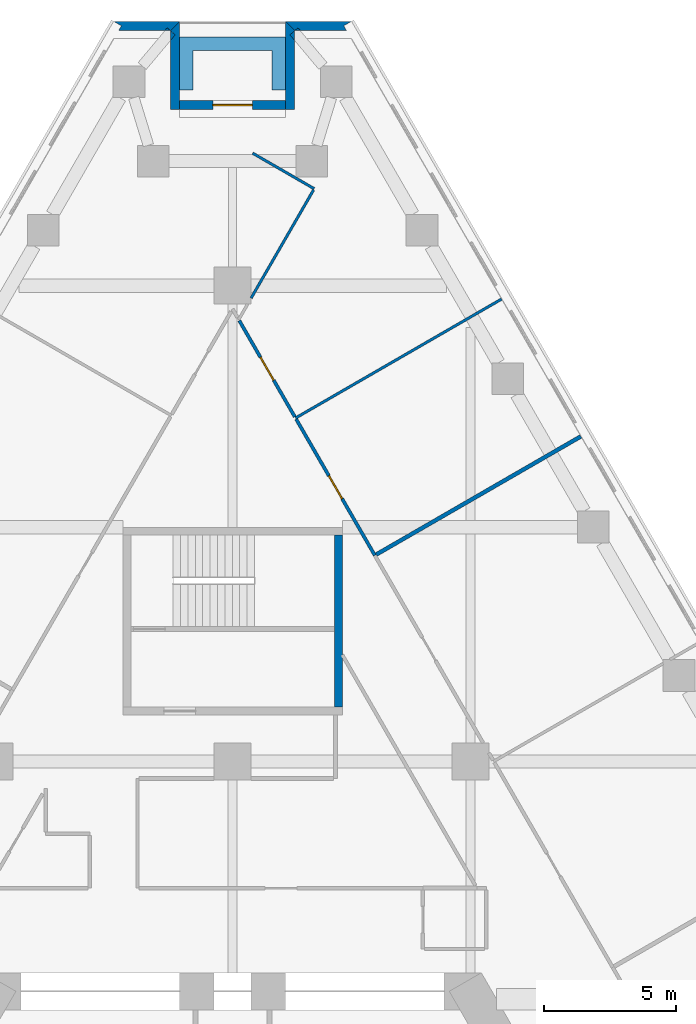
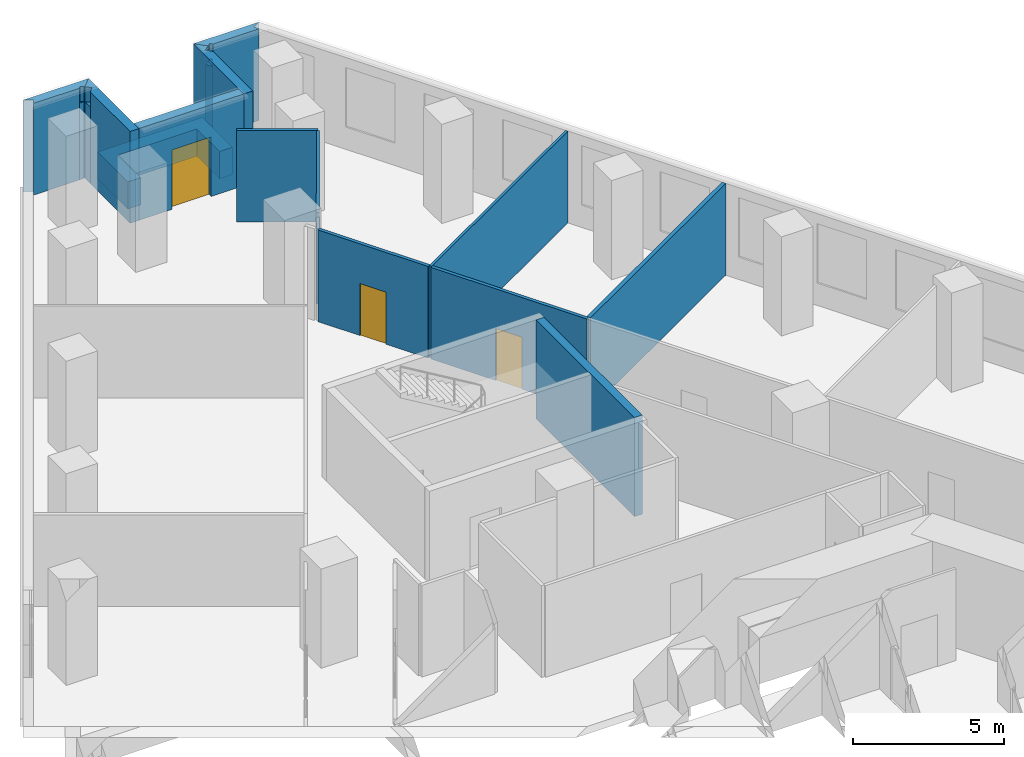
# One storey, part 9 of 11: 17 walls, 3 doors, 3 openings.
"""IFC4 building model written with IfcOpenShell, lengths in metres."""

from ifc_helpers import new_model, si_unit, direction, frame, frame_2d, origin, place, context, subcontext, project, spatial, polyline, rectangle, outline, extrude, material, layer, layer_set, type_object, element, fill, save


model = new_model("IFC4")

# Units and contexts
model_context = context("Model", 3, precision=1e-05, world=origin(), true_north=direction((0.0, 1.0)))
body_context = subcontext(model_context, "Body", "Model", "MODEL_VIEW")
ifc_project = project(units=[si_unit("LENGTHUNIT", "METRE"), si_unit("AREAUNIT", "SQUARE_METRE"), si_unit("VOLUMEUNIT", "CUBIC_METRE"), si_unit("PLANEANGLEUNIT", "RADIAN"), si_unit("MASSUNIT", "GRAM", prefix="KILO")], contexts=[model_context])

# Site, building, storey
site_placement = place(None, origin())
site = spatial("IfcSite", under=ifc_project, at=site_placement, CompositionType="ELEMENT")
building_placement = place(site_placement, origin())
building = spatial("IfcBuilding", under=site, at=building_placement, Name="Fogline Exchange Tower", CompositionType="ELEMENT")
storey_placement = place(building_placement, frame((0.0, 0.0, 60.89990234375)))
storey = spatial("IfcBuildingStorey", under=building, at=storey_placement, Name="L12", CompositionType="ELEMENT", Elevation=60.89990234375)

# Walls
ifc_material_1 = material(Name="Concrete C40", Category="concrete")
ifc_layer_1 = layer(ifc_material_1, 0.300048828125)
ifc_layer_set_1 = layer_set([ifc_layer_1], Name="CW30")
wall_type_1 = type_object("IfcWallType", Name="CW30", PredefinedType="SOLIDWALL", material=ifc_layer_set_1)
wall_1_placement = place(storey_placement, frame((4.0, 29.056884765625, -0.2998046875), z_axis=(0.0, 0.0, 1.0), x_axis=(0.0, 1.0, 0.0)))
element("IfcWall", 1, at=wall_1_placement, inside=storey, type_object=wall_type_1, Name="Stair enclosure wall ST3", PredefinedType="SOLIDWALL", context=body_context, shape_type="SweptSolid", body=[
    extrude(rectangle(XDim=6.5, YDim=0.300048828125, at=frame_2d((3.25, 0.0))), origin(), (0.0, 0.0, 1.0), 4.0),
])
ifc_material_2 = material(Name="Brick masonry", Category="masonry")
ifc_layer_2 = layer(ifc_material_2, 0.340087890625)
ifc_layer_set_2 = layer_set([ifc_layer_2], Name="FW1")
wall_type_2 = type_object("IfcWallType", Name="FW1", PredefinedType="SOLIDWALL", material=ifc_layer_set_2)
wall_2_placement = place(storey_placement, origin())
element("IfcWall", 2, at=wall_2_placement, inside=storey, type_object=wall_type_2, Name="Brick wall L12 N-c1", PredefinedType="SOLIDWALL", context=body_context, shape_type="SweptSolid", body=[
    extrude(outline(polyline([(2.372314453125, 54.6611328125), (2.474609375, 54.7470703125), (2.546875, 54.6611328125), (2.372314453125, 54.6611328125)])), origin(), (0.0, 0.0, 1.0), 3.10009765625),
])
wall_3_placement = place(storey_placement, origin())
element("IfcWall", 3, at=wall_3_placement, inside=storey, type_object=wall_type_2, Name="Brick wall L12 N-c1", PredefinedType="SOLIDWALL", context=body_context, shape_type="SweptSolid", body=[
    extrude(outline(polyline([(4.5009765625, 55.002197265625), (4.501220703125, 55.001708984375), (4.206298828125, 54.83154296875), (4.3046875, 54.6611328125), (2.546875, 54.6611328125), (2.474609375, 54.7470703125), (2.372314453125, 54.6611328125), (2.33984375, 54.6611328125), (1.998779296875, 55.001953125), (1.9990234375, 55.002197265625), (4.5009765625, 55.002197265625)])), origin(), (0.0, 0.0, 1.0), 3.7001953125),
])
wall_4_placement = place(storey_placement, origin())
element("IfcWall", 4, at=wall_4_placement, inside=storey, type_object=wall_type_2, Name="Brick wall L12 N-s1", PredefinedType="SOLIDWALL", context=body_context, shape_type="SweptSolid", body=[
    extrude(outline(polyline([(2.340576171875, 54.28466796875), (2.16845703125, 54.48974609375), (2.340576171875, 54.634521484375), (2.340576171875, 54.28466796875)])), origin(), (0.0, 0.0, 1.0), 3.10009765625),
])
wall_5_placement = place(storey_placement, origin())
element("IfcWall", 5, at=wall_5_placement, inside=storey, type_object=wall_type_2, Name="Brick wall L12 N-s1", PredefinedType="SOLIDWALL", context=body_context, shape_type="SweptSolid", body=[
    extrude(outline(polyline([(1.99951171875, 51.6611328125), (1.99951171875, 55.002685546875), (1.999755859375, 55.0029296875), (2.340576171875, 54.661865234375), (2.340576171875, 54.634521484375), (2.16845703125, 54.48974609375), (2.340576171875, 54.28466796875), (2.340576171875, 51.6611328125), (1.99951171875, 51.6611328125)])), origin(), (0.0, 0.0, 1.0), 3.7001953125),
])

# Wall, opening, door
wall_6_placement = place(storey_placement, frame((2.0, 51.83154296875, 0.0), z_axis=(0.0, 0.0, 1.0), x_axis=(-1.0, 0.0, 0.0)))
wall_6 = element("IfcWall", 6, at=wall_6_placement, inside=storey, type_object=wall_type_2, Name="Brick wall L12 N-bk", PredefinedType="SOLIDWALL", context=body_context, shape_type="SweptSolid", body=[
    extrude(rectangle(XDim=4.0, YDim=0.340087890625, at=frame_2d((2.0, 0.0))), origin(), (0.0, 0.0, 1.0), 3.7001953125),
])
opening_1_placement = place(wall_6_placement, frame((1.25, 0.0, 0.0)))
opening_1 = element("IfcOpeningElement", 7, at=opening_1_placement, cuts=wall_6, Name="Opening T03-E141", PredefinedType="OPENING", context=body_context, shape_type="SweptSolid", body=[
    extrude(rectangle(XDim=1.5, YDim=2.39990234375, at=frame_2d((0.75, 1.199951171875))), frame((0.0, 0.18017578125, 0.0), z_axis=(0.0, -1.0, 0.0), x_axis=(1.0, 0.0, 0.0)), (0.0, 0.0, 1.0), 0.360107421875),
])
ifc_material_3 = material(Name="Aluminium and glass", Category="aluminium")
door_type_1 = type_object("IfcDoorType", Name="ED4", OperationType="SINGLE_SWING_LEFT", PredefinedType="DOOR", material=ifc_material_3)
door_1_placement = place(opening_1_placement, frame((1.5, 0.0, 0.0), z_axis=(0.0, 0.0, 1.0), x_axis=(-1.0, 0.0, 0.0)))
door_1 = element("IfcDoor", 8, at=door_1_placement, inside=storey, type_object=door_type_1, Name="Balcony door L12 N", OperationType="DOUBLE_DOOR_SINGLE_SWING", OverallHeight=2.39990234375, OverallWidth=1.5, PredefinedType="DOOR", context=body_context, shape_type="SweptSolid", body=[
    extrude(rectangle(XDim=1.5, YDim=2.39990234375, at=frame_2d((0.75, 1.199951171875))), frame((0.0, 0.02490234375, 0.0), z_axis=(0.0, -1.0, 0.0), x_axis=(1.0, 0.0, 0.0)), (0.0, 0.0, 1.0), 0.050048828125),
])
fill(opening_1, door_1)

# Walls
wall_7_placement = place(storey_placement, origin())
element("IfcWall", 9, at=wall_7_placement, inside=storey, type_object=wall_type_2, Name="Brick wall L12 N-s2", PredefinedType="SOLIDWALL", context=body_context, shape_type="SweptSolid", body=[
    extrude(outline(polyline([(-2.340576171875, 54.63330078125), (-2.169921875, 54.489990234375), (-2.340576171875, 54.28662109375), (-2.340576171875, 54.63330078125)])), origin(), (0.0, 0.0, 1.0), 3.10009765625),
])
wall_8_placement = place(storey_placement, origin())
element("IfcWall", 10, at=wall_8_placement, inside=storey, type_object=wall_type_2, Name="Brick wall L12 N-s2", PredefinedType="SOLIDWALL", context=body_context, shape_type="SweptSolid", body=[
    extrude(outline(polyline([(-1.99951171875, 51.6611328125), (-2.340576171875, 51.6611328125), (-2.340576171875, 54.28662109375), (-2.169921875, 54.489990234375), (-2.340576171875, 54.63330078125), (-2.340576171875, 54.661865234375), (-1.999755859375, 55.0029296875), (-1.99951171875, 55.002685546875), (-1.99951171875, 51.6611328125)])), origin(), (0.0, 0.0, 1.0), 3.7001953125),
])
wall_9_placement = place(storey_placement, origin())
element("IfcWall", 11, at=wall_9_placement, inside=storey, type_object=wall_type_2, Name="Brick wall L12 N-c2", PredefinedType="SOLIDWALL", context=body_context, shape_type="SweptSolid", body=[
    extrude(outline(polyline([(-2.548583984375, 54.6611328125), (-2.476318359375, 54.7470703125), (-2.373779296875, 54.6611328125), (-2.548583984375, 54.6611328125)])), origin(), (0.0, 0.0, 1.0), 3.10009765625),
])
wall_10_placement = place(storey_placement, origin())
element("IfcWall", 12, at=wall_10_placement, inside=storey, type_object=wall_type_2, Name="Brick wall L12 N-c2", PredefinedType="SOLIDWALL", context=body_context, shape_type="SweptSolid", body=[
    extrude(outline(polyline([(-4.206298828125, 54.83154296875), (-4.501220703125, 55.001708984375), (-4.5009765625, 55.002197265625), (-1.9990234375, 55.002197265625), (-1.998779296875, 55.001953125), (-2.33984375, 54.6611328125), (-2.373779296875, 54.6611328125), (-2.476318359375, 54.7470703125), (-2.548583984375, 54.6611328125), (-4.3046875, 54.6611328125), (-4.206298828125, 54.83154296875)])), origin(), (0.0, 0.0, 1.0), 3.7001953125),
])
ifc_material_4 = material(Name="Concrete C30", Category="concrete")
ifc_layer_3 = layer(ifc_material_4, 0.199951171875)
ifc_layer_set_3 = layer_set([ifc_layer_3], Name="PL1")
wall_type_3 = type_object("IfcWallType", Name="PL1", PredefinedType="USERDEFINED", material=ifc_layer_set_3)
wall_11_placement = place(storey_placement, origin())
element("IfcWall", 13, at=wall_11_placement, inside=storey, type_object=wall_type_3, Name="PLANTER balcony L12 N", ObjectType="PLANTER", PredefinedType="USERDEFINED", context=body_context, shape_type="SweptSolid", body=[
    extrude(outline(polyline([(-1.5, 54.401611328125), (-2.0, 54.401611328125), (-2.0, 53.901611328125), (-2.0, 52.401611328125), (-1.5, 52.401611328125), (-1.5, 53.901611328125), (1.5, 53.901611328125), (1.5, 52.401611328125), (2.0, 52.401611328125), (2.0, 53.901611328125), (2.0, 54.401611328125), (1.5, 54.401611328125), (-1.5, 54.401611328125)])), origin(), (0.0, 0.0, 1.0), 1.10009765625),
])
ifc_material_5 = material(Name="Plasterboard partition, 2 layers each side on steel studs", Category="steel")
ifc_layer_4 = layer(ifc_material_5, 0.10009765625)
ifc_layer_set_4 = layer_set([ifc_layer_4], Name="PW1")
wall_type_4 = type_object("IfcWallType", Name="PW1", PredefinedType="PARTITIONING", material=ifc_layer_set_4)
wall_12_placement = place(storey_placement, frame((2.381591796875, 39.990966796875, 0.0), z_axis=(0.0, 0.0, 1.0), x_axis=(0.866024315419, 0.5000018851, 0.0)))
element("IfcWall", 14, at=wall_12_placement, inside=storey, type_object=wall_type_4, Name="wall-L12-W044", PredefinedType="PARTITIONING", context=body_context, shape_type="SweptSolid", body=[
    extrude(rectangle(XDim=9.0, YDim=0.10009765625, at=frame_2d((4.5, 0.0))), origin(), (0.0, 0.0, 1.0), 3.7001953125),
])
wall_13_placement = place(storey_placement, frame((0.699951171875, 44.5283203125, 0.0), z_axis=(0.0, 0.0, 1.0), x_axis=(0.500020389875, 0.866013631365, 0.0)))
element("IfcWall", 15, at=wall_13_placement, inside=storey, type_object=wall_type_4, Name="wall-L12-W046", PredefinedType="PARTITIONING", context=body_context, shape_type="SweptSolid", body=[
    extrude(rectangle(XDim=4.728759765625, YDim=0.10009765625, at=frame_2d((2.3642578125, 0.0))), origin(), (0.0, 0.0, 1.0), 3.7001953125),
])
wall_14_placement = place(storey_placement, frame((3.08935546875, 48.666748046875, 0.0), z_axis=(0.0, 0.0, 1.0), x_axis=(-0.866005709019, 0.500034110783, 0.0)))
element("IfcWall", 16, at=wall_14_placement, inside=storey, type_object=wall_type_4, Name="wall-L12-W047", PredefinedType="PARTITIONING", context=body_context, shape_type="SweptSolid", body=[
    extrude(rectangle(XDim=2.689697265625, YDim=0.10009765625, at=frame_2d((1.3447265625, 0.0))), origin(), (0.0, 0.0, 1.0), 3.7001953125),
])

# Wall, opening, door
ifc_material_6 = material(Name="Plasterboard corridor partition with mineral wool, 2 layers each side")
ifc_layer_5 = layer(ifc_material_6, 0.125)
ifc_layer_set_5 = layer_set([ifc_layer_5], Name="PW2")
wall_type_5 = type_object("IfcWallType", Name="PW2", PredefinedType="PARTITIONING", material=ifc_layer_set_5)
wall_15_placement = place(storey_placement, frame((2.40673828125, 39.947265625, 0.0), z_axis=(0.0, 0.0, 1.0), x_axis=(0.500018463402, -0.866014743672, 0.0)))
wall_15 = element("IfcWall", 17, at=wall_15_placement, inside=storey, type_object=wall_type_5, Name="wall-L12-W015", PredefinedType="PARTITIONING", context=body_context, shape_type="SweptSolid", body=[
    extrude(rectangle(XDim=5.949462890625, YDim=0.125, at=frame_2d((2.974609375, 0.0))), origin(), (0.0, 0.0, 1.0), 3.7001953125),
])
opening_2_placement = place(wall_15_placement, frame((2.474609375, 0.0, 0.0)))
opening_2 = element("IfcOpeningElement", 18, at=opening_2_placement, cuts=wall_15, Name="Opening T03-D007", PredefinedType="OPENING", context=body_context, shape_type="SweptSolid", body=[
    extrude(rectangle(XDim=1.0, YDim=2.10009765625, at=frame_2d((0.5, 1.050048828125))), frame((0.0, 0.072509765625, 0.0), z_axis=(0.0, -1.0, 0.0), x_axis=(1.0, 0.0, 0.0)), (0.0, 0.0, 1.0), 0.14501953125),
])
ifc_material_7 = material(Name="Fire-rated timber door leaf with steel frame", Category="steel")
door_type_2 = type_object("IfcDoorType", Name="D3", OperationType="SINGLE_SWING_LEFT", PredefinedType="DOOR", material=ifc_material_7)
door_2_placement = place(opening_2_placement, origin())
door_2 = element("IfcDoor", 19, at=door_2_placement, inside=storey, type_object=door_type_2, Name="door-L12-D007", OperationType="SINGLE_SWING_LEFT", OverallHeight=2.10009765625, OverallWidth=1.0, PredefinedType="DOOR", context=body_context, shape_type="SweptSolid", body=[
    extrude(rectangle(XDim=1.0, YDim=2.10009765625, at=frame_2d((0.5, 1.050048828125))), frame((0.0, 0.02490234375, 0.0), z_axis=(0.0, -1.0, 0.0), x_axis=(1.0, 0.0, 0.0)), (0.0, 0.0, 1.0), 0.050048828125),
])
fill(opening_2, door_2)

wall_16_placement = place(storey_placement, frame((0.252685546875, 43.677978515625, 0.0), z_axis=(0.0, 0.0, 1.0), x_axis=(0.50000878899, -0.866020329399, 0.0)))
wall_16 = element("IfcWall", 20, at=wall_16_placement, inside=storey, type_object=wall_type_5, Name="wall-L12-W016", PredefinedType="PARTITIONING", context=body_context, shape_type="SweptSolid", body=[
    extrude(rectangle(XDim=4.20703125, YDim=0.125, at=frame_2d((2.103515625, 0.0))), origin(), (0.0, 0.0, 1.0), 3.7001953125),
])
opening_3_placement = place(wall_16_placement, frame((1.603515625, 0.0, 0.0)))
opening_3 = element("IfcOpeningElement", 21, at=opening_3_placement, cuts=wall_16, Name="Opening T03-D008", PredefinedType="OPENING", context=body_context, shape_type="SweptSolid", body=[
    extrude(rectangle(XDim=1.0, YDim=2.10009765625, at=frame_2d((0.5, 1.050048828125))), frame((0.0, 0.072509765625, 0.0), z_axis=(0.0, -1.0, 0.0), x_axis=(1.0, 0.0, 0.0)), (0.0, 0.0, 1.0), 0.14501953125),
])
door_3_placement = place(opening_3_placement, origin())
door_3 = element("IfcDoor", 22, at=door_3_placement, inside=storey, type_object=door_type_2, Name="door-L12-D008", OperationType="SINGLE_SWING_LEFT", OverallHeight=2.10009765625, OverallWidth=1.0, PredefinedType="DOOR", context=body_context, shape_type="SweptSolid", body=[
    extrude(rectangle(XDim=1.0, YDim=2.10009765625, at=frame_2d((0.5, 1.050048828125))), frame((0.0, 0.02490234375, 0.0), z_axis=(0.0, -1.0, 0.0), x_axis=(1.0, 0.0, 0.0)), (0.0, 0.0, 1.0), 0.050048828125),
])
fill(opening_3, door_3)

# Wall
ifc_material_8 = material(Name="Plasterboard demising partition with mineral wool and acoustic board")
ifc_layer_6 = layer(ifc_material_8, 0.14990234375)
ifc_layer_set_6 = layer_set([ifc_layer_6], Name="PW3")
wall_type_6 = type_object("IfcWallType", Name="PW3", PredefinedType="PARTITIONING", material=ifc_layer_set_6)
wall_17_placement = place(storey_placement, frame((5.435546875, 34.826171875, 0.0), z_axis=(0.0, 0.0, 1.0), x_axis=(0.866029105215, 0.49999358888, 0.0)))
element("IfcWall", 23, at=wall_17_placement, inside=storey, type_object=wall_type_6, Name="wall-L12-W043", PredefinedType="PARTITIONING", context=body_context, shape_type="SweptSolid", body=[
    extrude(rectangle(XDim=8.9375, YDim=0.14990234375, at=frame_2d((4.46875, 0.0))), origin(), (0.0, 0.0, 1.0), 3.7001953125),
])

save(model, "model.ifc")
